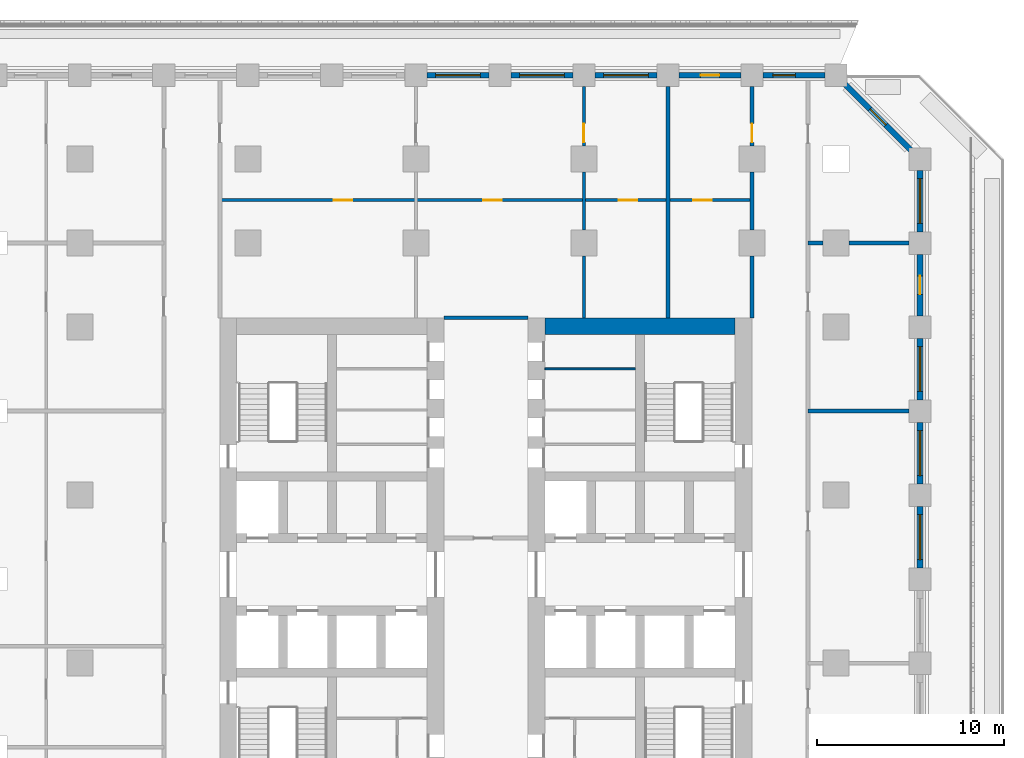
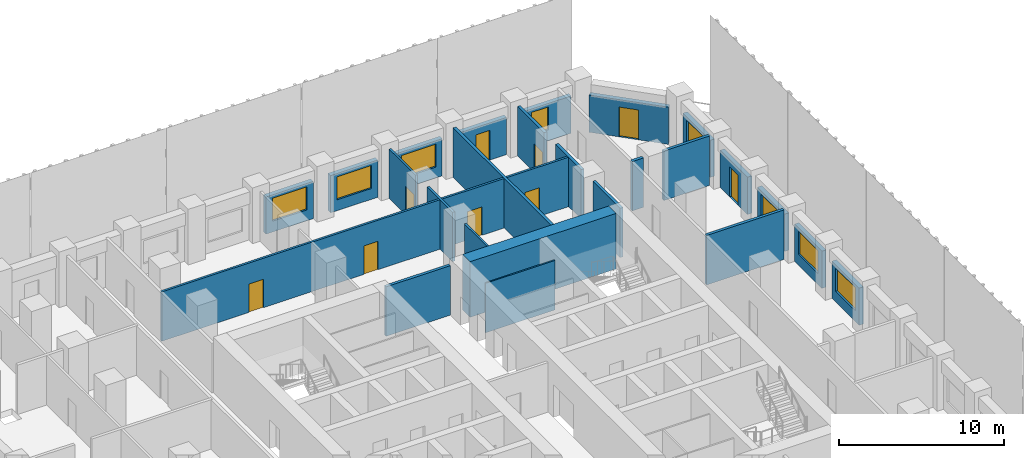
# One storey, part 8 of 19: 25 walls, 9 doors, 8 windows, 17 openings.
"""IFC4 building model written with IfcOpenShell, lengths in metres."""

from ifc_helpers import new_model, si_unit, direction, frame, frame_2d, origin, place, context, subcontext, project, spatial, rectangle, extrude, material, layer, layer_set, type_object, element, fill, save


model = new_model("IFC4")

# Units and contexts
model_context = context("Model", 3, precision=1e-05, world=origin(), true_north=direction((0.0, 1.0)))
body_context = subcontext(model_context, "Body", "Model", "MODEL_VIEW")
ifc_project = project(units=[si_unit("LENGTHUNIT", "METRE"), si_unit("AREAUNIT", "SQUARE_METRE"), si_unit("VOLUMEUNIT", "CUBIC_METRE"), si_unit("PLANEANGLEUNIT", "RADIAN"), si_unit("MASSUNIT", "GRAM", prefix="KILO")], contexts=[model_context])

# Site, building, storey
site_placement = place(None, origin())
site = spatial("IfcSite", under=ifc_project, at=site_placement, CompositionType="ELEMENT")
building_placement = place(site_placement, origin())
building = spatial("IfcBuilding", under=site, at=building_placement, Name="Corbel Stack Research Tower", CompositionType="ELEMENT")
storey_placement = place(building_placement, frame((0.0, 0.0, 116.699951171875)))
storey = spatial("IfcBuildingStorey", under=building, at=storey_placement, Name="L26", CompositionType="ELEMENT", Elevation=116.699951171875)

# Walls
ifc_material_1 = material(Name="Concrete C70/85", Category="concrete")
ifc_layer_1 = layer(ifc_material_1, 0.89990234375)
ifc_layer_set_1 = layer_set([ifc_layer_1], Name="Concrete C70/85")
wall_type_1 = type_object("IfcWallType", Name="CW-900-70", PredefinedType="SHEAR", material=ifc_layer_set_1)
wall_1_placement = place(storey_placement, frame((6.89990234375, 18.050048828125, 0.0), z_axis=(0.0, 0.0, 1.0), x_axis=(1.0, 0.0, 0.0)))
element("IfcWall", 1, at=wall_1_placement, inside=storey, type_object=wall_type_1, Name="East core wall, north end L26", PredefinedType="SHEAR", context=body_context, shape_type="SweptSolid", body=[
    extrude(rectangle(XDim=10.2001953125, YDim=0.89990234375, at=frame_2d((5.10009765625, 0.0))), origin(), (0.0, 0.0, 1.0), 4.10009765625),
])
ifc_material_2 = material(Name="Gypsum board")
ifc_layer_2 = layer(ifc_material_2, 0.10009765625)
ifc_layer_set_2 = layer_set([ifc_layer_2], Name="Gypsum board")
wall_type_2 = type_object("IfcWallType", Name="Core partition 100", PredefinedType="PARTITIONING", material=ifc_layer_set_2)
wall_2_placement = place(storey_placement, frame((6.89990234375, 15.762451171875, 0.0), z_axis=(0.0, 0.0, 1.0), x_axis=(1.0, 0.0, 0.0)))
element("IfcWall", 2, at=wall_2_placement, inside=storey, type_object=wall_type_2, Name="Core partition E", PredefinedType="PARTITIONING", context=body_context, shape_type="SweptSolid", body=[
    extrude(rectangle(XDim=4.85009765625, YDim=0.10009765625, at=frame_2d((2.425048828125, 0.0))), origin(), (0.0, 0.0, 1.0), 3.650146484375),
])

# Wall, opening, door
ifc_material_3 = material(Name="Fire-rated gypsum board partition on steel studs", Category="steel")
ifc_layer_3 = layer(ifc_material_3, 0.14990234375)
ifc_layer_set_3 = layer_set([ifc_layer_3], Name="Fire-rated gypsum board partition on steel studs")
wall_type_3 = type_object("IfcWallType", Name="Fire-rated partition 150 EI 60", PredefinedType="PARTITIONING", material=ifc_layer_set_3)
wall_3_placement = place(storey_placement, frame((9.0, 30.89990234375, 0.0), z_axis=(0.0, 0.0, 1.0), x_axis=(0.0, -1.0, 0.0)))
wall_3 = element("IfcWall", 3, at=wall_3_placement, inside=storey, type_object=wall_type_3, Name="Partition L26-014", PredefinedType="PARTITIONING", context=body_context, shape_type="SweptSolid", body=[
    extrude(rectangle(XDim=3.199951171875, YDim=0.14990234375, at=frame_2d((1.60009765625, 0.0))), origin(), (0.0, 0.0, 1.0), 3.650146484375),
])
opening_1_placement = place(wall_3_placement, frame((2.0, 0.0, 0.0)))
opening_1 = element("IfcOpeningElement", 4, at=opening_1_placement, cuts=wall_3, Name="Opening B4V0H-023", PredefinedType="OPENING", context=body_context, shape_type="SweptSolid", body=[
    extrude(rectangle(XDim=1.0, YDim=2.10009765625, at=frame_2d((0.5, 1.050048828125))), frame((0.0, 0.0849609375, 0.0), z_axis=(0.0, -1.0, 0.0), x_axis=(1.0, 0.0, 0.0)), (0.0, 0.0, 1.0), 0.169921875),
])
ifc_material_4 = material(Name="Painted steel fire door", Category="steel")
door_type_1 = type_object("IfcDoorType", Name="Fire door FD30S 1000 x 2100", OperationType="NOTDEFINED", PredefinedType="DOOR", material=ifc_material_4)
door_1_placement = place(opening_1_placement, origin())
door_1 = element("IfcDoor", 5, at=door_1_placement, inside=storey, type_object=door_type_1, Name="Door B4V0H-023", OperationType="SINGLE_SWING_RIGHT", OverallHeight=2.10009765625, OverallWidth=1.0, PredefinedType="DOOR", context=body_context, shape_type="SweptSolid", body=[
    extrude(rectangle(XDim=1.0, YDim=2.10009765625, at=frame_2d((0.5, 1.050048828125))), frame((0.0, 0.02490234375, 0.0), z_axis=(0.0, -1.0, 0.0), x_axis=(1.0, 0.0, 0.0)), (0.0, 0.0, 1.0), 0.050048828125),
])
fill(opening_1, door_1)

# Walls
ifc_material_5 = material(Name="Fire-rated gypsum board partition on steel studs", Category="steel")
ifc_layer_4 = layer(ifc_material_5, 0.199951171875)
ifc_layer_set_4 = layer_set([ifc_layer_4], Name="Fire-rated gypsum board partition on steel studs")
wall_type_4 = type_object("IfcWallType", Name="Fire-rated partition 200 EI 60", PredefinedType="PARTITIONING", material=ifc_layer_set_4)
wall_4_placement = place(storey_placement, frame((13.5, 18.5, 0.0), z_axis=(0.0, 0.0, 1.0), x_axis=(0.0, 1.0, 0.0)))
element("IfcWall", 6, at=wall_4_placement, inside=storey, type_object=wall_type_4, Name="Partition L26-016", PredefinedType="PARTITIONING", context=body_context, shape_type="SweptSolid", body=[
    extrude(rectangle(XDim=12.39990234375, YDim=0.199951171875, at=frame_2d((6.199951171875, 0.0))), origin(), (0.0, 0.0, 1.0), 3.650146484375),
])
wall_5_placement = place(storey_placement, frame((18.0, 18.5, 0.0), z_axis=(0.0, 0.0, 1.0), x_axis=(0.0, 1.0, 0.0)))
element("IfcWall", 7, at=wall_5_placement, inside=storey, type_object=wall_type_4, Name="Partition L26-019", PredefinedType="PARTITIONING", context=body_context, shape_type="SweptSolid", body=[
    extrude(rectangle(XDim=3.300048828125, YDim=0.199951171875, at=frame_2d((1.64990234375, 0.0))), origin(), (0.0, 0.0, 1.0), 3.650146484375),
])
wall_6_placement = place(storey_placement, frame((18.0, 23.199951171875, 0.0), z_axis=(0.0, 0.0, 1.0), x_axis=(0.0, 1.0, 0.0)))
element("IfcWall", 8, at=wall_6_placement, inside=storey, type_object=wall_type_4, Name="Partition L26-020", PredefinedType="PARTITIONING", context=body_context, shape_type="SweptSolid", body=[
    extrude(rectangle(XDim=3.10009765625, YDim=0.199951171875, at=frame_2d((1.550048828125, 0.0))), origin(), (0.0, 0.0, 1.0), 3.650146484375),
])

# Wall, opening, door
wall_7_placement = place(storey_placement, frame((18.0, 27.699951171875, 0.0), z_axis=(0.0, 0.0, 1.0), x_axis=(0.0, 1.0, 0.0)))
wall_7 = element("IfcWall", 9, at=wall_7_placement, inside=storey, type_object=wall_type_4, Name="Partition L26-021", PredefinedType="PARTITIONING", context=body_context, shape_type="SweptSolid", body=[
    extrude(rectangle(XDim=3.199951171875, YDim=0.199951171875, at=frame_2d((1.60009765625, 0.0))), origin(), (0.0, 0.0, 1.0), 3.650146484375),
])
opening_2_placement = place(wall_7_placement, frame((0.199951171875, 0.0, 0.0)))
opening_2 = element("IfcOpeningElement", 10, at=opening_2_placement, cuts=wall_7, Name="Opening B4V0H-025", PredefinedType="OPENING", context=body_context, shape_type="SweptSolid", body=[
    extrude(rectangle(XDim=1.0, YDim=2.10009765625, at=frame_2d((0.5, 1.050048828125))), frame((0.0, 0.10986328125, 0.0), z_axis=(0.0, -1.0, 0.0), x_axis=(1.0, 0.0, 0.0)), (0.0, 0.0, 1.0), 0.219970703125),
])
door_2_placement = place(opening_2_placement, origin())
door_2 = element("IfcDoor", 11, at=door_2_placement, inside=storey, type_object=door_type_1, Name="Door B4V0H-025", OperationType="SINGLE_SWING_LEFT", OverallHeight=2.10009765625, OverallWidth=1.0, PredefinedType="DOOR", context=body_context, shape_type="SweptSolid", body=[
    extrude(rectangle(XDim=1.0, YDim=2.10009765625, at=frame_2d((0.5, 1.050048828125))), frame((0.0, 0.02490234375, 0.0), z_axis=(0.0, -1.0, 0.0), x_axis=(1.0, 0.0, 0.0)), (0.0, 0.0, 1.0), 0.050048828125),
])
fill(opening_2, door_2)

# Walls
wall_8_placement = place(storey_placement, frame((21.0, 13.5, 0.0), z_axis=(0.0, 0.0, 1.0), x_axis=(1.0, 0.0, 0.0)))
element("IfcWall", 12, at=wall_8_placement, inside=storey, type_object=wall_type_4, Name="Partition L26-037", PredefinedType="PARTITIONING", context=body_context, shape_type="SweptSolid", body=[
    extrude(rectangle(XDim=5.39990234375, YDim=0.199951171875, at=frame_2d((2.699951171875, 0.0))), origin(), (0.0, 0.0, 1.0), 3.650146484375),
])
wall_9_placement = place(storey_placement, frame((1.5, 18.5, 0.0), z_axis=(0.0, 0.0, 1.0), x_axis=(1.0, 0.0, 0.0)))
element("IfcWall", 13, at=wall_9_placement, inside=storey, type_object=wall_type_4, Name="Partition L26-038", PredefinedType="PARTITIONING", context=body_context, shape_type="SweptSolid", body=[
    extrude(rectangle(XDim=4.5, YDim=0.199951171875, at=frame_2d((2.25, 0.0))), origin(), (0.0, 0.0, 1.0), 3.650146484375),
])
wall_10_placement = place(storey_placement, frame((21.0, 22.5, 0.0), z_axis=(0.0, 0.0, 1.0), x_axis=(1.0, 0.0, 0.0)))
element("IfcWall", 14, at=wall_10_placement, inside=storey, type_object=wall_type_4, Name="Partition L26-042", PredefinedType="PARTITIONING", context=body_context, shape_type="SweptSolid", body=[
    extrude(rectangle(XDim=0.800048828125, YDim=0.199951171875, at=frame_2d((0.39990234375, 0.0))), origin(), (0.0, 0.0, 1.0), 3.650146484375),
])
wall_11_placement = place(storey_placement, frame((23.199951171875, 22.5, 0.0), z_axis=(0.0, 0.0, 1.0), x_axis=(1.0, 0.0, 0.0)))
element("IfcWall", 15, at=wall_11_placement, inside=storey, type_object=wall_type_4, Name="Partition L26-043", PredefinedType="PARTITIONING", context=body_context, shape_type="SweptSolid", body=[
    extrude(rectangle(XDim=3.199951171875, YDim=0.199951171875, at=frame_2d((1.60009765625, 0.0))), origin(), (0.0, 0.0, 1.0), 3.650146484375),
])
ifc_material_6 = material(Name="Gypsum board partition on steel studs", Category="steel")
ifc_layer_5 = layer(ifc_material_6, 0.14990234375)
ifc_layer_set_5 = layer_set([ifc_layer_5], Name="Gypsum board partition on steel studs")
wall_type_5 = type_object("IfcWallType", Name="Partition 150", PredefinedType="PARTITIONING", material=ifc_layer_set_5)
wall_12_placement = place(storey_placement, frame((9.0, 18.5, 0.0), z_axis=(0.0, 0.0, 1.0), x_axis=(0.0, 1.0, 0.0)))
element("IfcWall", 16, at=wall_12_placement, inside=storey, type_object=wall_type_5, Name="Partition L26-012", PredefinedType="PARTITIONING", context=body_context, shape_type="SweptSolid", body=[
    extrude(rectangle(XDim=3.300048828125, YDim=0.14990234375, at=frame_2d((1.64990234375, 0.0))), origin(), (0.0, 0.0, 1.0), 3.650146484375),
])
wall_13_placement = place(storey_placement, frame((9.0, 23.199951171875, 0.0), z_axis=(0.0, 0.0, 1.0), x_axis=(0.0, 1.0, 0.0)))
element("IfcWall", 17, at=wall_13_placement, inside=storey, type_object=wall_type_5, Name="Partition L26-013", PredefinedType="PARTITIONING", context=body_context, shape_type="SweptSolid", body=[
    extrude(rectangle(XDim=3.10009765625, YDim=0.14990234375, at=frame_2d((1.550048828125, 0.0))), origin(), (0.0, 0.0, 1.0), 3.650146484375),
])

# Wall, openings, doors
wall_14_placement = place(storey_placement, frame((18.0, 24.800048828125, 0.0), z_axis=(0.0, 0.0, 1.0), x_axis=(-1.0, 0.0, 0.0)))
wall_14 = element("IfcWall", 18, at=wall_14_placement, inside=storey, type_object=wall_type_5, Name="Partition L26-044", PredefinedType="PARTITIONING", context=body_context, shape_type="SweptSolid", body=[
    extrude(rectangle(XDim=28.5, YDim=0.14990234375, at=frame_2d((14.25, 0.0))), origin(), (0.0, 0.0, 1.0), 3.650146484375),
])
opening_3_placement = place(wall_14_placement, frame((21.39990234375, 0.0, 0.0)))
opening_3 = element("IfcOpeningElement", 19, at=opening_3_placement, cuts=wall_14, Name="Opening B4V0H-032", PredefinedType="OPENING", context=body_context, shape_type="SweptSolid", body=[
    extrude(rectangle(XDim=1.0, YDim=2.10009765625, at=frame_2d((0.5, 1.050048828125))), frame((0.0, 0.0849609375, 0.0), z_axis=(0.0, -1.0, 0.0), x_axis=(1.0, 0.0, 0.0)), (0.0, 0.0, 1.0), 0.169921875),
])
opening_4_placement = place(wall_14_placement, frame((13.39990234375, 0.0, 0.0)))
opening_4 = element("IfcOpeningElement", 20, at=opening_4_placement, cuts=wall_14, Name="Opening B4V0H-033", PredefinedType="OPENING", context=body_context, shape_type="SweptSolid", body=[
    extrude(rectangle(XDim=1.0, YDim=2.10009765625, at=frame_2d((0.5, 1.050048828125))), frame((0.0, 0.0849609375, 0.0), z_axis=(0.0, -1.0, 0.0), x_axis=(1.0, 0.0, 0.0)), (0.0, 0.0, 1.0), 0.169921875),
])
opening_5_placement = place(wall_14_placement, frame((6.14990234375, 0.0, 0.0)))
opening_5 = element("IfcOpeningElement", 21, at=opening_5_placement, cuts=wall_14, Name="Opening B4V0H-034", PredefinedType="OPENING", context=body_context, shape_type="SweptSolid", body=[
    extrude(rectangle(XDim=1.0, YDim=2.10009765625, at=frame_2d((0.5, 1.050048828125))), frame((0.0, 0.0849609375, 0.0), z_axis=(0.0, -1.0, 0.0), x_axis=(1.0, 0.0, 0.0)), (0.0, 0.0, 1.0), 0.169921875),
])
opening_6_placement = place(wall_14_placement, frame((2.14990234375, 0.0, 0.0)))
opening_6 = element("IfcOpeningElement", 22, at=opening_6_placement, cuts=wall_14, Name="Opening B4V0H-035", PredefinedType="OPENING", context=body_context, shape_type="SweptSolid", body=[
    extrude(rectangle(XDim=1.0, YDim=2.10009765625, at=frame_2d((0.5, 1.050048828125))), frame((0.0, 0.0849609375, 0.0), z_axis=(0.0, -1.0, 0.0), x_axis=(1.0, 0.0, 0.0)), (0.0, 0.0, 1.0), 0.169921875),
])
ifc_material_7 = material(Name="Painted timber door", Category="wood")
door_type_2 = type_object("IfcDoorType", Name="Single door 1000 x 2100", OperationType="NOTDEFINED", PredefinedType="DOOR", material=ifc_material_7)
door_3_placement = place(opening_3_placement, origin())
door_3 = element("IfcDoor", 23, at=door_3_placement, inside=storey, type_object=door_type_2, Name="Door B4V0H-032", OperationType="SINGLE_SWING_RIGHT", OverallHeight=2.10009765625, OverallWidth=1.0, PredefinedType="DOOR", context=body_context, shape_type="SweptSolid", body=[
    extrude(rectangle(XDim=1.0, YDim=2.10009765625, at=frame_2d((0.5, 1.050048828125))), frame((0.0, 0.02490234375, 0.0), z_axis=(0.0, -1.0, 0.0), x_axis=(1.0, 0.0, 0.0)), (0.0, 0.0, 1.0), 0.050048828125),
])
fill(opening_3, door_3)
door_4_placement = place(opening_4_placement, origin())
door_4 = element("IfcDoor", 24, at=door_4_placement, inside=storey, type_object=door_type_2, Name="Door B4V0H-033", OperationType="SINGLE_SWING_LEFT", OverallHeight=2.10009765625, OverallWidth=1.0, PredefinedType="DOOR", context=body_context, shape_type="SweptSolid", body=[
    extrude(rectangle(XDim=1.0, YDim=2.10009765625, at=frame_2d((0.5, 1.050048828125))), frame((0.0, 0.02490234375, 0.0), z_axis=(0.0, -1.0, 0.0), x_axis=(1.0, 0.0, 0.0)), (0.0, 0.0, 1.0), 0.050048828125),
])
fill(opening_4, door_4)
door_5_placement = place(opening_5_placement, origin())
door_5 = element("IfcDoor", 25, at=door_5_placement, inside=storey, type_object=door_type_2, Name="Door B4V0H-034", OperationType="SINGLE_SWING_LEFT", OverallHeight=2.10009765625, OverallWidth=1.0, PredefinedType="DOOR", context=body_context, shape_type="SweptSolid", body=[
    extrude(rectangle(XDim=1.0, YDim=2.10009765625, at=frame_2d((0.5, 1.050048828125))), frame((0.0, 0.02490234375, 0.0), z_axis=(0.0, -1.0, 0.0), x_axis=(1.0, 0.0, 0.0)), (0.0, 0.0, 1.0), 0.050048828125),
])
fill(opening_5, door_5)
door_6_placement = place(opening_6_placement, origin())
door_6 = element("IfcDoor", 26, at=door_6_placement, inside=storey, type_object=door_type_2, Name="Door B4V0H-035", OperationType="SINGLE_SWING_LEFT", OverallHeight=2.10009765625, OverallWidth=1.0, PredefinedType="DOOR", context=body_context, shape_type="SweptSolid", body=[
    extrude(rectangle(XDim=1.0, YDim=2.10009765625, at=frame_2d((0.5, 1.050048828125))), frame((0.0, 0.02490234375, 0.0), z_axis=(0.0, -1.0, 0.0), x_axis=(1.0, 0.0, 0.0)), (0.0, 0.0, 1.0), 0.050048828125),
])
fill(opening_6, door_6)

# Wall, opening, window
ifc_material_8 = material(Name="Concrete C45/55", Category="concrete")
ifc_layer_6 = layer(ifc_material_8, 0.300048828125)
ifc_layer_set_6 = layer_set([ifc_layer_6], Name="Concrete C45/55")
wall_type_6 = type_object("IfcWallType", Name="Terracotta-faced concrete wall 300", PredefinedType="SOLIDWALL", material=ifc_layer_set_6)
wall_15_placement = place(storey_placement, frame((27.0, 8.39990234375, 0.0), z_axis=(0.0, 0.0, 1.0), x_axis=(0.0, -1.0, 0.0)))
wall_15 = element("IfcWall", 27, at=wall_15_placement, inside=storey, type_object=wall_type_6, Name="Facade wall L26 E06", PredefinedType="SOLIDWALL", context=body_context, shape_type="SweptSolid", body=[
    extrude(rectangle(XDim=3.2998046875, YDim=0.300048828125, at=frame_2d((1.64990234375, 0.0))), origin(), (0.0, 0.0, 1.0), 2.75),
])
opening_7_placement = place(wall_15_placement, frame((0.449951171875, 0.0, 0.800048828125)))
opening_7 = element("IfcOpeningElement", 28, at=opening_7_placement, cuts=wall_15, Name="Opening W1", PredefinedType="OPENING", context=body_context, shape_type="SweptSolid", body=[
    extrude(rectangle(XDim=2.39990234375, YDim=1.699951171875, at=frame_2d((1.199951171875, 0.85009765625))), frame((0.0, 0.159912109375, 0.0), z_axis=(0.0, -1.0, 0.0), x_axis=(1.0, 0.0, 0.0)), (0.0, 0.0, 1.0), 0.320068359375),
])
ifc_material_9 = material(Name="Aluminium frame, clear double glazing", Category="aluminium")
window_type_1 = type_object("IfcWindowType", Name="Window W1 2400 x 1700", PartitioningType="SINGLE_PANEL", PredefinedType="WINDOW", material=ifc_material_9)
window_1_placement = place(opening_7_placement, origin())
window_1 = element("IfcWindow", 29, at=window_1_placement, inside=storey, type_object=window_type_1, Name="Window W1 L26 E06", OverallHeight=1.699951171875, OverallWidth=2.39990234375, PartitioningType="SINGLE_PANEL", PredefinedType="WINDOW", context=body_context, shape_type="SweptSolid", body=[
    extrude(rectangle(XDim=2.39990234375, YDim=1.699951171875, at=frame_2d((1.199951171875, 0.85009765625))), frame((0.0, 0.030029296875, 0.0), z_axis=(0.0, -1.0, 0.0), x_axis=(1.0, 0.0, 0.0)), (0.0, 0.0, 1.0), 0.06005859375),
])
fill(opening_7, window_1)

wall_16_placement = place(storey_placement, frame((27.0, 12.89990234375, 0.0), z_axis=(0.0, 0.0, 1.0), x_axis=(0.0, -1.0, 0.0)))
wall_16 = element("IfcWall", 30, at=wall_16_placement, inside=storey, type_object=wall_type_6, Name="Facade wall L26 E07", PredefinedType="SOLIDWALL", context=body_context, shape_type="SweptSolid", body=[
    extrude(rectangle(XDim=3.2998046875, YDim=0.300048828125, at=frame_2d((1.64990234375, 0.0))), origin(), (0.0, 0.0, 1.0), 2.75),
])
opening_8_placement = place(wall_16_placement, frame((0.449951171875, 0.0, 0.800048828125)))
opening_8 = element("IfcOpeningElement", 31, at=opening_8_placement, cuts=wall_16, Name="Opening W1", PredefinedType="OPENING", context=body_context, shape_type="SweptSolid", body=[
    extrude(rectangle(XDim=2.39990234375, YDim=1.699951171875, at=frame_2d((1.199951171875, 0.85009765625))), frame((0.0, 0.159912109375, 0.0), z_axis=(0.0, -1.0, 0.0), x_axis=(1.0, 0.0, 0.0)), (0.0, 0.0, 1.0), 0.320068359375),
])
window_2_placement = place(opening_8_placement, origin())
window_2 = element("IfcWindow", 32, at=window_2_placement, inside=storey, type_object=window_type_1, Name="Window W1 L26 E07", OverallHeight=1.699951171875, OverallWidth=2.39990234375, PartitioningType="SINGLE_PANEL", PredefinedType="WINDOW", context=body_context, shape_type="SweptSolid", body=[
    extrude(rectangle(XDim=2.39990234375, YDim=1.699951171875, at=frame_2d((1.199951171875, 0.85009765625))), frame((0.0, 0.030029296875, 0.0), z_axis=(0.0, -1.0, 0.0), x_axis=(1.0, 0.0, 0.0)), (0.0, 0.0, 1.0), 0.06005859375),
])
fill(opening_8, window_2)

wall_17_placement = place(storey_placement, frame((27.0, 17.39990234375, 0.0), z_axis=(0.0, 0.0, 1.0), x_axis=(0.0, -1.0, 0.0)))
wall_17 = element("IfcWall", 33, at=wall_17_placement, inside=storey, type_object=wall_type_6, Name="Facade wall L26 E08", PredefinedType="SOLIDWALL", context=body_context, shape_type="SweptSolid", body=[
    extrude(rectangle(XDim=3.2998046875, YDim=0.300048828125, at=frame_2d((1.64990234375, 0.0))), origin(), (0.0, 0.0, 1.0), 2.75),
])
opening_9_placement = place(wall_17_placement, frame((0.449951171875, 0.0, 0.800048828125)))
opening_9 = element("IfcOpeningElement", 34, at=opening_9_placement, cuts=wall_17, Name="Opening W1", PredefinedType="OPENING", context=body_context, shape_type="SweptSolid", body=[
    extrude(rectangle(XDim=2.39990234375, YDim=1.699951171875, at=frame_2d((1.199951171875, 0.85009765625))), frame((0.0, 0.159912109375, 0.0), z_axis=(0.0, -1.0, 0.0), x_axis=(1.0, 0.0, 0.0)), (0.0, 0.0, 1.0), 0.320068359375),
])
window_3_placement = place(opening_9_placement, origin())
window_3 = element("IfcWindow", 35, at=window_3_placement, inside=storey, type_object=window_type_1, Name="Window W1 L26 E08", OverallHeight=1.699951171875, OverallWidth=2.39990234375, PartitioningType="SINGLE_PANEL", PredefinedType="WINDOW", context=body_context, shape_type="SweptSolid", body=[
    extrude(rectangle(XDim=2.39990234375, YDim=1.699951171875, at=frame_2d((1.199951171875, 0.85009765625))), frame((0.0, 0.030029296875, 0.0), z_axis=(0.0, -1.0, 0.0), x_axis=(1.0, 0.0, 0.0)), (0.0, 0.0, 1.0), 0.06005859375),
])
fill(opening_9, window_3)

# Wall, opening, door
wall_18_placement = place(storey_placement, frame((27.0, 21.89990234375, 0.0), z_axis=(0.0, 0.0, 1.0), x_axis=(0.0, -1.0, 0.0)))
wall_18 = element("IfcWall", 36, at=wall_18_placement, inside=storey, type_object=wall_type_6, Name="Facade wall L26 E09", PredefinedType="SOLIDWALL", context=body_context, shape_type="SweptSolid", body=[
    extrude(rectangle(XDim=3.2998046875, YDim=0.300048828125, at=frame_2d((1.64990234375, 0.0))), origin(), (0.0, 0.0, 1.0), 2.75),
])
opening_10_placement = place(wall_18_placement, frame((1.14990234375, 0.0, 0.0)))
opening_10 = element("IfcOpeningElement", 37, at=opening_10_placement, cuts=wall_18, Name="Opening L26-B05", PredefinedType="OPENING", context=body_context, shape_type="SweptSolid", body=[
    extrude(rectangle(XDim=1.0, YDim=2.199951171875, at=frame_2d((0.5, 1.10009765625))), frame((0.0, 0.159912109375, 0.0), z_axis=(0.0, -1.0, 0.0), x_axis=(1.0, 0.0, 0.0)), (0.0, 0.0, 1.0), 0.320068359375),
])
ifc_material_10 = material(Name="Aluminium frame, clear double glazing", Category="aluminium")
door_type_3 = type_object("IfcDoorType", Name="Balcony door BD1 1000 x 2200", OperationType="NOTDEFINED", PredefinedType="DOOR", material=ifc_material_10)
door_7_placement = place(opening_10_placement, origin())
door_7 = element("IfcDoor", 38, at=door_7_placement, inside=storey, type_object=door_type_3, Name="Balcony door L26-B05", OperationType="SINGLE_SWING_LEFT", OverallHeight=2.199951171875, OverallWidth=1.0, PredefinedType="DOOR", context=body_context, shape_type="SweptSolid", body=[
    extrude(rectangle(XDim=1.0, YDim=2.199951171875, at=frame_2d((0.5, 1.10009765625))), frame((0.0, 0.02490234375, 0.0), z_axis=(0.0, -1.0, 0.0), x_axis=(1.0, 0.0, 0.0)), (0.0, 0.0, 1.0), 0.050048828125),
])
fill(opening_10, door_7)

# Wall, opening, window
wall_19_placement = place(storey_placement, frame((27.0, 26.39990234375, 0.0), z_axis=(0.0, 0.0, 1.0), x_axis=(0.0, -1.0, 0.0)))
wall_19 = element("IfcWall", 39, at=wall_19_placement, inside=storey, type_object=wall_type_6, Name="Facade wall L26 E10", PredefinedType="SOLIDWALL", context=body_context, shape_type="SweptSolid", body=[
    extrude(rectangle(XDim=3.2998046875, YDim=0.300048828125, at=frame_2d((1.64990234375, 0.0))), origin(), (0.0, 0.0, 1.0), 2.75),
])
opening_11_placement = place(wall_19_placement, frame((0.449951171875, 0.0, 0.800048828125)))
opening_11 = element("IfcOpeningElement", 40, at=opening_11_placement, cuts=wall_19, Name="Opening W1", PredefinedType="OPENING", context=body_context, shape_type="SweptSolid", body=[
    extrude(rectangle(XDim=2.39990234375, YDim=1.699951171875, at=frame_2d((1.199951171875, 0.85009765625))), frame((0.0, 0.159912109375, 0.0), z_axis=(0.0, -1.0, 0.0), x_axis=(1.0, 0.0, 0.0)), (0.0, 0.0, 1.0), 0.320068359375),
])
window_4_placement = place(opening_11_placement, origin())
window_4 = element("IfcWindow", 41, at=window_4_placement, inside=storey, type_object=window_type_1, Name="Window W1 L26 E10", OverallHeight=1.699951171875, OverallWidth=2.39990234375, PartitioningType="SINGLE_PANEL", PredefinedType="WINDOW", context=body_context, shape_type="SweptSolid", body=[
    extrude(rectangle(XDim=2.39990234375, YDim=1.699951171875, at=frame_2d((1.199951171875, 0.85009765625))), frame((0.0, 0.030029296875, 0.0), z_axis=(0.0, -1.0, 0.0), x_axis=(1.0, 0.0, 0.0)), (0.0, 0.0, 1.0), 0.06005859375),
])
fill(opening_11, window_4)

# Wall, opening, door
wall_20_placement = place(storey_placement, frame((22.993896484375, 31.006103515625, 0.0), z_axis=(0.0, 0.0, 1.0), x_axis=(0.707106781187, -0.707106781187, 0.0)))
wall_20 = element("IfcWall", 42, at=wall_20_placement, inside=storey, type_object=wall_type_6, Name="Facade wall L26 NE01", PredefinedType="SOLIDWALL", context=body_context, shape_type="SweptSolid", body=[
    extrude(rectangle(XDim=4.967041015625, YDim=0.300048828125, at=frame_2d((2.4833984375, 0.0))), origin(), (0.0, 0.0, 1.0), 2.75),
])
opening_12_placement = place(wall_20_placement, frame((1.883544921875, 0.0, 0.0)))
opening_12 = element("IfcOpeningElement", 43, at=opening_12_placement, cuts=wall_20, Name="Opening L26-B06", PredefinedType="OPENING", context=body_context, shape_type="SweptSolid", body=[
    extrude(rectangle(XDim=1.199951171875, YDim=2.199951171875, at=frame_2d((0.60009765625, 1.10009765625))), frame((0.0, 0.159912109375, 0.0), z_axis=(0.0, -1.0, 0.0), x_axis=(1.0, 0.0, 0.0)), (0.0, 0.0, 1.0), 0.320068359375),
])
ifc_material_11 = material(Name="Aluminium frame, clear double glazing", Category="aluminium")
door_type_4 = type_object("IfcDoorType", Name="Balcony door BD2 1200 x 2200", OperationType="NOTDEFINED", PredefinedType="DOOR", material=ifc_material_11)
door_8_placement = place(opening_12_placement, origin())
door_8 = element("IfcDoor", 44, at=door_8_placement, inside=storey, type_object=door_type_4, Name="Balcony door L26-B06", OperationType="SINGLE_SWING_LEFT", OverallHeight=2.199951171875, OverallWidth=1.199951171875, PredefinedType="DOOR", context=body_context, shape_type="SweptSolid", body=[
    extrude(rectangle(XDim=1.199951171875, YDim=2.199951171875, at=frame_2d((0.60009765625, 1.10009765625))), frame((0.0, 0.02490234375, 0.0), z_axis=(0.0, -1.0, 0.0), x_axis=(1.0, 0.0, 0.0)), (0.0, 0.0, 1.0), 0.050048828125),
])
fill(opening_12, door_8)

# Wall, opening, window
wall_21_placement = place(storey_placement, frame((18.60009765625, 31.5, 0.0), z_axis=(0.0, 0.0, 1.0), x_axis=(1.0, 0.0, 0.0)))
wall_21 = element("IfcWall", 45, at=wall_21_placement, inside=storey, type_object=wall_type_6, Name="Facade wall L26 N01", PredefinedType="SOLIDWALL", context=body_context, shape_type="SweptSolid", body=[
    extrude(rectangle(XDim=3.2998046875, YDim=0.300048828125, at=frame_2d((1.64990234375, 0.0))), origin(), (0.0, 0.0, 1.0), 2.75),
])
opening_13_placement = place(wall_21_placement, frame((0.52490234375, 0.0, 0.800048828125)))
opening_13 = element("IfcOpeningElement", 46, at=opening_13_placement, cuts=wall_21, Name="Opening W2", PredefinedType="OPENING", context=body_context, shape_type="SweptSolid", body=[
    extrude(rectangle(XDim=1.199951171875, YDim=1.699951171875, at=frame_2d((0.60009765625, 0.85009765625))), frame((0.0, 0.159912109375, 0.0), z_axis=(0.0, -1.0, 0.0), x_axis=(1.0, 0.0, 0.0)), (0.0, 0.0, 1.0), 0.320068359375),
])
ifc_material_12 = material(Name="Aluminium frame, clear double glazing", Category="aluminium")
window_type_2 = type_object("IfcWindowType", Name="Window W2 1200 x 1700", PartitioningType="SINGLE_PANEL", PredefinedType="WINDOW", material=ifc_material_12)
window_5_placement = place(opening_13_placement, origin())
window_5 = element("IfcWindow", 47, at=window_5_placement, inside=storey, type_object=window_type_2, Name="Window W2 L26 N01", OverallHeight=1.699951171875, OverallWidth=1.199951171875, PartitioningType="SINGLE_PANEL", PredefinedType="WINDOW", context=body_context, shape_type="SweptSolid", body=[
    extrude(rectangle(XDim=1.199951171875, YDim=1.699951171875, at=frame_2d((0.60009765625, 0.85009765625))), frame((0.0, 0.030029296875, 0.0), z_axis=(0.0, -1.0, 0.0), x_axis=(1.0, 0.0, 0.0)), (0.0, 0.0, 1.0), 0.06005859375),
])
fill(opening_13, window_5)

# Wall, opening, door
wall_22_placement = place(storey_placement, frame((14.10009765625, 31.5, 0.0), z_axis=(0.0, 0.0, 1.0), x_axis=(1.0, 0.0, 0.0)))
wall_22 = element("IfcWall", 48, at=wall_22_placement, inside=storey, type_object=wall_type_6, Name="Facade wall L26 N02", PredefinedType="SOLIDWALL", context=body_context, shape_type="SweptSolid", body=[
    extrude(rectangle(XDim=3.2998046875, YDim=0.300048828125, at=frame_2d((1.64990234375, 0.0))), origin(), (0.0, 0.0, 1.0), 2.75),
])
opening_14_placement = place(wall_22_placement, frame((1.14990234375, 0.0, 0.0)))
opening_14 = element("IfcOpeningElement", 49, at=opening_14_placement, cuts=wall_22, Name="Opening L26-B07", PredefinedType="OPENING", context=body_context, shape_type="SweptSolid", body=[
    extrude(rectangle(XDim=1.0, YDim=2.199951171875, at=frame_2d((0.5, 1.10009765625))), frame((0.0, 0.159912109375, 0.0), z_axis=(0.0, -1.0, 0.0), x_axis=(1.0, 0.0, 0.0)), (0.0, 0.0, 1.0), 0.320068359375),
])
door_9_placement = place(opening_14_placement, origin())
door_9 = element("IfcDoor", 50, at=door_9_placement, inside=storey, type_object=door_type_3, Name="Balcony door L26-B07", OperationType="SINGLE_SWING_RIGHT", OverallHeight=2.199951171875, OverallWidth=1.0, PredefinedType="DOOR", context=body_context, shape_type="SweptSolid", body=[
    extrude(rectangle(XDim=1.0, YDim=2.199951171875, at=frame_2d((0.5, 1.10009765625))), frame((0.0, 0.02490234375, 0.0), z_axis=(0.0, -1.0, 0.0), x_axis=(1.0, 0.0, 0.0)), (0.0, 0.0, 1.0), 0.050048828125),
])
fill(opening_14, door_9)

# Wall, opening, window
wall_23_placement = place(storey_placement, frame((9.60009765625, 31.5, 0.0), z_axis=(0.0, 0.0, 1.0), x_axis=(1.0, 0.0, 0.0)))
wall_23 = element("IfcWall", 51, at=wall_23_placement, inside=storey, type_object=wall_type_6, Name="Facade wall L26 N03", PredefinedType="SOLIDWALL", context=body_context, shape_type="SweptSolid", body=[
    extrude(rectangle(XDim=3.2998046875, YDim=0.300048828125, at=frame_2d((1.64990234375, 0.0))), origin(), (0.0, 0.0, 1.0), 2.75),
])
opening_15_placement = place(wall_23_placement, frame((0.449951171875, 0.0, 0.800048828125)))
opening_15 = element("IfcOpeningElement", 52, at=opening_15_placement, cuts=wall_23, Name="Opening W1", PredefinedType="OPENING", context=body_context, shape_type="SweptSolid", body=[
    extrude(rectangle(XDim=2.39990234375, YDim=1.699951171875, at=frame_2d((1.199951171875, 0.85009765625))), frame((0.0, 0.159912109375, 0.0), z_axis=(0.0, -1.0, 0.0), x_axis=(1.0, 0.0, 0.0)), (0.0, 0.0, 1.0), 0.320068359375),
])
window_6_placement = place(opening_15_placement, origin())
window_6 = element("IfcWindow", 53, at=window_6_placement, inside=storey, type_object=window_type_1, Name="Window W1 L26 N03", OverallHeight=1.699951171875, OverallWidth=2.39990234375, PartitioningType="SINGLE_PANEL", PredefinedType="WINDOW", context=body_context, shape_type="SweptSolid", body=[
    extrude(rectangle(XDim=2.39990234375, YDim=1.699951171875, at=frame_2d((1.199951171875, 0.85009765625))), frame((0.0, 0.030029296875, 0.0), z_axis=(0.0, -1.0, 0.0), x_axis=(1.0, 0.0, 0.0)), (0.0, 0.0, 1.0), 0.06005859375),
])
fill(opening_15, window_6)

wall_24_placement = place(storey_placement, frame((5.10009765625, 31.5, 0.0), z_axis=(0.0, 0.0, 1.0), x_axis=(1.0, 0.0, 0.0)))
wall_24 = element("IfcWall", 54, at=wall_24_placement, inside=storey, type_object=wall_type_6, Name="Facade wall L26 N04", PredefinedType="SOLIDWALL", context=body_context, shape_type="SweptSolid", body=[
    extrude(rectangle(XDim=3.2998046875, YDim=0.300048828125, at=frame_2d((1.64990234375, 0.0))), origin(), (0.0, 0.0, 1.0), 2.75),
])
opening_16_placement = place(wall_24_placement, frame((0.449951171875, 0.0, 0.800048828125)))
opening_16 = element("IfcOpeningElement", 55, at=opening_16_placement, cuts=wall_24, Name="Opening W1", PredefinedType="OPENING", context=body_context, shape_type="SweptSolid", body=[
    extrude(rectangle(XDim=2.39990234375, YDim=1.699951171875, at=frame_2d((1.199951171875, 0.85009765625))), frame((0.0, 0.159912109375, 0.0), z_axis=(0.0, -1.0, 0.0), x_axis=(1.0, 0.0, 0.0)), (0.0, 0.0, 1.0), 0.320068359375),
])
window_7_placement = place(opening_16_placement, origin())
window_7 = element("IfcWindow", 56, at=window_7_placement, inside=storey, type_object=window_type_1, Name="Window W1 L26 N04", OverallHeight=1.699951171875, OverallWidth=2.39990234375, PartitioningType="SINGLE_PANEL", PredefinedType="WINDOW", context=body_context, shape_type="SweptSolid", body=[
    extrude(rectangle(XDim=2.39990234375, YDim=1.699951171875, at=frame_2d((1.199951171875, 0.85009765625))), frame((0.0, 0.030029296875, 0.0), z_axis=(0.0, -1.0, 0.0), x_axis=(1.0, 0.0, 0.0)), (0.0, 0.0, 1.0), 0.06005859375),
])
fill(opening_16, window_7)

wall_25_placement = place(storey_placement, frame((0.60009765625, 31.5, 0.0), z_axis=(0.0, 0.0, 1.0), x_axis=(1.0, 0.0, 0.0)))
wall_25 = element("IfcWall", 57, at=wall_25_placement, inside=storey, type_object=wall_type_6, Name="Facade wall L26 N05", PredefinedType="SOLIDWALL", context=body_context, shape_type="SweptSolid", body=[
    extrude(rectangle(XDim=3.2998046875, YDim=0.300048828125, at=frame_2d((1.64990234375, 0.0))), origin(), (0.0, 0.0, 1.0), 2.75),
])
opening_17_placement = place(wall_25_placement, frame((0.449951171875, 0.0, 0.800048828125)))
opening_17 = element("IfcOpeningElement", 58, at=opening_17_placement, cuts=wall_25, Name="Opening W1", PredefinedType="OPENING", context=body_context, shape_type="SweptSolid", body=[
    extrude(rectangle(XDim=2.39990234375, YDim=1.699951171875, at=frame_2d((1.199951171875, 0.85009765625))), frame((0.0, 0.159912109375, 0.0), z_axis=(0.0, -1.0, 0.0), x_axis=(1.0, 0.0, 0.0)), (0.0, 0.0, 1.0), 0.320068359375),
])
window_8_placement = place(opening_17_placement, origin())
window_8 = element("IfcWindow", 59, at=window_8_placement, inside=storey, type_object=window_type_1, Name="Window W1 L26 N05", OverallHeight=1.699951171875, OverallWidth=2.39990234375, PartitioningType="SINGLE_PANEL", PredefinedType="WINDOW", context=body_context, shape_type="SweptSolid", body=[
    extrude(rectangle(XDim=2.39990234375, YDim=1.699951171875, at=frame_2d((1.199951171875, 0.85009765625))), frame((0.0, 0.030029296875, 0.0), z_axis=(0.0, -1.0, 0.0), x_axis=(1.0, 0.0, 0.0)), (0.0, 0.0, 1.0), 0.06005859375),
])
fill(opening_17, window_8)

save(model, "model.ifc")
